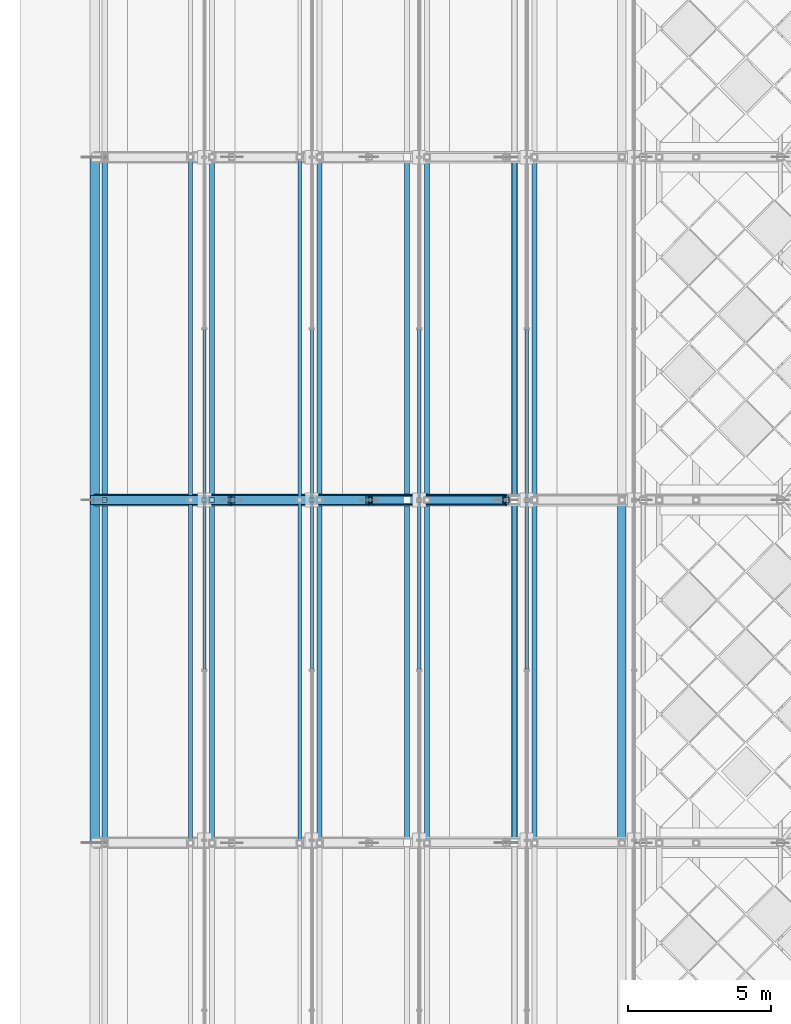
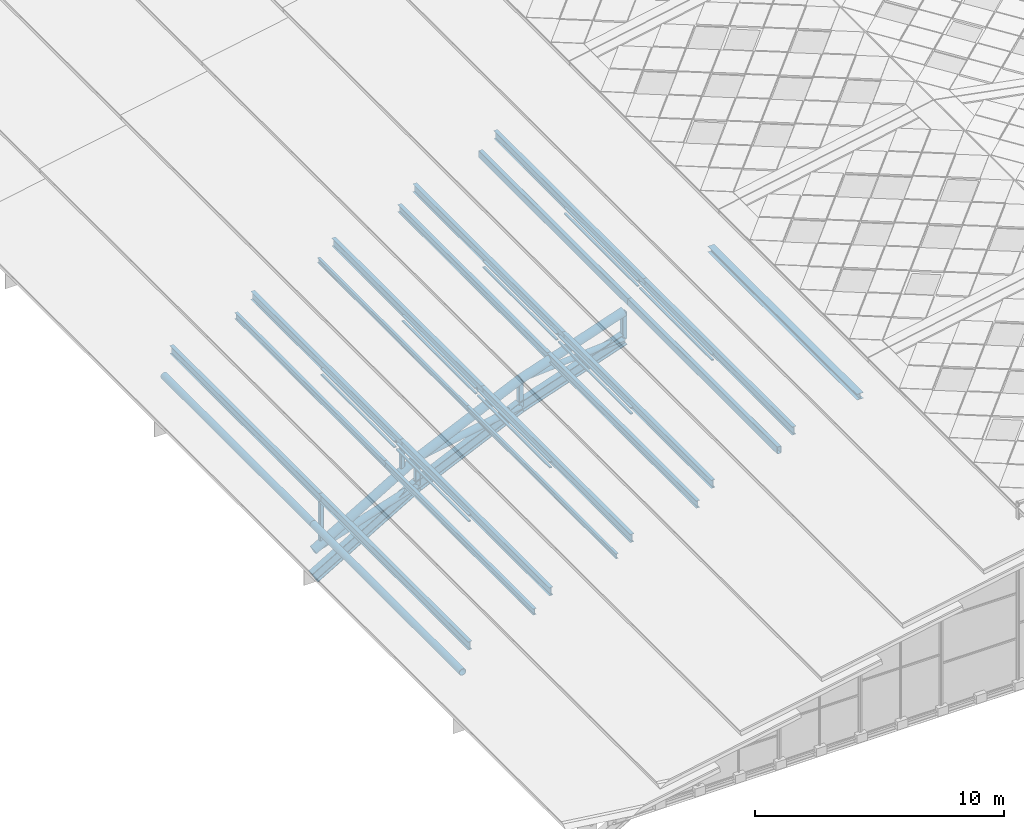
# One storey, part 12 of 117: 49 members, 2 beams, 8 elements without a shape of their own.
"""IFC4 building model written with IfcOpenShell, lengths in metres."""

from ifc_helpers import new_model, si_unit, direction, frame, origin, origin_2d, place, context, subcontext, project, spatial, hollow_rectangle, hollow_circle, i_section, extrude, material, material_profile, profile_set, type_object, element, aggregate, save


model = new_model("IFC4")

# Units and contexts
model_context = context("Model", 3, precision=1e-05, world=origin(), true_north=direction((0.0, 1.0)))
body_context = subcontext(model_context, "Body", "Model", "MODEL_VIEW")
ifc_project = project(units=[si_unit("LENGTHUNIT", "METRE"), si_unit("AREAUNIT", "SQUARE_METRE"), si_unit("VOLUMEUNIT", "CUBIC_METRE"), si_unit("PLANEANGLEUNIT", "RADIAN"), si_unit("MASSUNIT", "GRAM", prefix="KILO")], contexts=[model_context])

# Site, building, storey
site_placement = place(None, origin())
site = spatial("IfcSite", under=ifc_project, at=site_placement, CompositionType="ELEMENT")
building_placement = place(site_placement, origin())
building = spatial("IfcBuilding", under=site, at=building_placement, Name="Merenkruunu Market Hall", CompositionType="ELEMENT")
storey_placement = place(building_placement, frame((0.0, 0.0, 22.800048828125)))
storey = spatial("IfcBuildingStorey", under=building, at=storey_placement, Name="RF", CompositionType="ELEMENT", Elevation=22.800048828125)

# Members
ifc_material_1 = material(Name="Steel S355ML", Category="steel")
ifc_material_profile_1 = material_profile(ifc_material_1, hollow_circle(Radius=0.203125, WallThickness=0.01611328125, at=origin_2d()), Name="CHS 406.4x16")
ifc_profile_set_1 = profile_set([ifc_material_profile_1], Name="Steel S355ML")
member_type_1 = type_object("IfcMemberType", Name="Arch Truss Chord TC02", PredefinedType="CHORD", material=ifc_profile_set_1)
member_1_placement = place(storey_placement, frame((0.0, 39.60009765625, -10.150146484375), z_axis=(0.861115679414, 0.0, 0.508409074139), x_axis=(0.0, 1.0, 0.0)))
element("IfcMember", 1, at=member_1_placement, inside=storey, type_object=member_type_1, Name="TRUSS-AT-3-TOP-01", PredefinedType="CHORD", context=body_context, shape_type="SweptSolid", body=[
    extrude(hollow_circle(Radius=0.203125, WallThickness=0.01611328125, at=origin_2d()), origin(), (0.0, 0.0, 1.0), 5.57421875),
])
member_2_placement = place(storey_placement, frame((4.800048828125, 39.60009765625, -7.316162109375), z_axis=(0.909419998666, 0.0, 0.415878907889), x_axis=(0.0, 1.0, 0.0)))
element("IfcMember", 2, at=member_2_placement, inside=storey, type_object=member_type_1, Name="TRUSS-AT-3-TOP-02", PredefinedType="CHORD", context=body_context, shape_type="SweptSolid", body=[
    extrude(hollow_circle(Radius=0.203125, WallThickness=0.01611328125, at=origin_2d()), origin(), (0.0, 0.0, 1.0), 5.278076171875),
])
member_3_placement = place(storey_placement, frame((9.60009765625, 39.60009765625, -5.12109375), z_axis=(0.946219828174, 0.0, 0.323524399033), x_axis=(0.0, 1.0, 0.0)))
element("IfcMember", 3, at=member_3_placement, inside=storey, type_object=member_type_1, Name="TRUSS-AT-3-TOP-03", PredefinedType="CHORD", context=body_context, shape_type="SweptSolid", body=[
    extrude(hollow_circle(Radius=0.203125, WallThickness=0.01611328125, at=origin_2d()), origin(), (0.0, 0.0, 1.0), 5.072509765625),
])
ifc_material_profile_2 = material_profile(ifc_material_1, i_section(OverallWidth=0.300048828125, OverallDepth=0.550048828125, WebThickness=0.014892578125, FlangeThickness=0.029052734375, FilletRadius=0.027099609375, at=origin_2d()), Name="HEB 550")
ifc_profile_set_2 = profile_set([ifc_material_profile_2], Name="Steel S355ML")
member_type_2 = type_object("IfcMemberType", Name="Arch Truss Chord TC03", PredefinedType="CHORD", material=ifc_profile_set_2)
member_4_placement = place(storey_placement, frame((0.0, 39.60009765625, -11.449951171875), z_axis=(0.861115679414, 0.0, 0.508409074139), x_axis=(0.0, 1.0, 0.0)))
element("IfcMember", 4, at=member_4_placement, inside=storey, type_object=member_type_2, Name="TRUSS-AT-3-BOT-01", PredefinedType="CHORD", context=body_context, shape_type="SweptSolid", body=[
    extrude(i_section(OverallWidth=0.300048828125, OverallDepth=0.550048828125, WebThickness=0.014892578125, FlangeThickness=0.029052734375, FilletRadius=0.027099609375, at=origin_2d()), origin(), (0.0, 0.0, 1.0), 5.57421875),
])
member_5_placement = place(storey_placement, frame((4.800048828125, 39.60009765625, -8.615966796875), z_axis=(0.909437492245, 0.0, 0.415840651812), x_axis=(0.0, 1.0, 0.0)))
element("IfcMember", 5, at=member_5_placement, inside=storey, type_object=member_type_2, Name="TRUSS-AT-3-BOT-02", PredefinedType="CHORD", context=body_context, shape_type="SweptSolid", body=[
    extrude(i_section(OverallWidth=0.300048828125, OverallDepth=0.550048828125, WebThickness=0.014892578125, FlangeThickness=0.029052734375, FilletRadius=0.027099609375, at=origin_2d()), origin(), (0.0, 0.0, 1.0), 5.278076171875),
])
member_6_placement = place(storey_placement, frame((9.60009765625, 39.60009765625, -6.421142578125), z_axis=(0.946219828174, 0.0, 0.323524399033), x_axis=(0.0, 1.0, 0.0)))
element("IfcMember", 6, at=member_6_placement, inside=storey, type_object=member_type_2, Name="TRUSS-AT-3-BOT-03", PredefinedType="CHORD", context=body_context, shape_type="SweptSolid", body=[
    extrude(i_section(OverallWidth=0.300048828125, OverallDepth=0.550048828125, WebThickness=0.014892578125, FlangeThickness=0.029052734375, FilletRadius=0.027099609375, at=origin_2d()), origin(), (0.0, 0.0, 1.0), 5.072509765625),
])

# Curtain wall, members
ifc_material_2 = material(Name="Powder-coated aluminium", Category="aluminium")
curtain_wall_type = type_object("IfcCurtainWallType", Name="Clerestory Curtain Band CL05", PredefinedType="USERDEFINED", material=ifc_material_2)
curtain_wall_1_placement = place(storey_placement, origin())
curtain_wall_1 = element("IfcCurtainWall", 7, at=curtain_wall_1_placement, inside=storey, type_object=curtain_wall_type, Name="CW-RF-CWM04-081", ObjectType="CLERESTORY_BAND", PredefinedType="USERDEFINED")
ifc_material_profile_3 = material_profile(ifc_material_2, hollow_rectangle(XDim=0.06005859375, YDim=0.110107421875, WallThickness=0.00390625, at=origin_2d()), Name="ALU 60x110x4")
ifc_profile_set_3 = profile_set([ifc_material_profile_3], Name="Powder-coated aluminium")
member_type_3 = type_object("IfcMemberType", Name="Curtain Wall Transom CWT03", PredefinedType="USERDEFINED", material=ifc_profile_set_3)
member_7_placement = place(storey_placement, frame((3.840087890625, 33.68505859375, -6.491943359375), z_axis=(0.0, 1.0, 0.0), x_axis=(0.0, 0.0, 1.0)))
member_7 = element("IfcMember", 8, at=member_7_placement, type_object=member_type_3, Name="CL05 transom 4.1", ObjectType="TRANSOM", PredefinedType="USERDEFINED", context=body_context, shape_type="SweptSolid", body=[
    extrude(hollow_rectangle(XDim=0.06005859375, YDim=0.110107421875, WallThickness=0.00390625, at=origin_2d()), origin(), (0.0, 0.0, 1.0), 5.844970703125),
])
member_8_placement = place(storey_placement, frame((3.840087890625, 33.68505859375, -6.2041015625), z_axis=(0.0, 1.0, 0.0), x_axis=(0.0, 0.0, 1.0)))
member_8 = element("IfcMember", 9, at=member_8_placement, type_object=member_type_3, Name="CL05 transom 4.2", ObjectType="TRANSOM", PredefinedType="USERDEFINED", context=body_context, shape_type="SweptSolid", body=[
    extrude(hollow_rectangle(XDim=0.06005859375, YDim=0.110107421875, WallThickness=0.00390625, at=origin_2d()), origin(), (0.0, 0.0, 1.0), 5.844970703125),
])
aggregate(curtain_wall_1, [member_7, member_8])

curtain_wall_2_placement = place(storey_placement, origin())
curtain_wall_2 = element("IfcCurtainWall", 10, at=curtain_wall_2_placement, inside=storey, type_object=curtain_wall_type, Name="CW-RF-CWM04-083", ObjectType="CLERESTORY_BAND", PredefinedType="USERDEFINED")
member_9_placement = place(storey_placement, frame((3.840087890625, 39.669921875, -6.491943359375), z_axis=(0.0, 1.0, 0.0), x_axis=(0.0, 0.0, 1.0)))
member_9 = element("IfcMember", 11, at=member_9_placement, type_object=member_type_3, Name="CL05 transom 1.1", ObjectType="TRANSOM", PredefinedType="USERDEFINED", context=body_context, shape_type="SweptSolid", body=[
    extrude(hollow_rectangle(XDim=0.06005859375, YDim=0.110107421875, WallThickness=0.00390625, at=origin_2d()), origin(), (0.0, 0.0, 1.0), 5.89501953125),
])
member_10_placement = place(storey_placement, frame((3.840087890625, 39.669921875, -6.2041015625), z_axis=(0.0, 1.0, 0.0), x_axis=(0.0, 0.0, 1.0)))
member_10 = element("IfcMember", 12, at=member_10_placement, type_object=member_type_3, Name="CL05 transom 1.2", ObjectType="TRANSOM", PredefinedType="USERDEFINED", context=body_context, shape_type="SweptSolid", body=[
    extrude(hollow_rectangle(XDim=0.06005859375, YDim=0.110107421875, WallThickness=0.00390625, at=origin_2d()), origin(), (0.0, 0.0, 1.0), 5.89501953125),
])
aggregate(curtain_wall_2, [member_9, member_10])

curtain_wall_3_placement = place(storey_placement, origin())
curtain_wall_3 = element("IfcCurtainWall", 13, at=curtain_wall_3_placement, inside=storey, type_object=curtain_wall_type, Name="CW-RF-CWM04-089", ObjectType="CLERESTORY_BAND", PredefinedType="USERDEFINED")
member_11_placement = place(storey_placement, frame((7.60009765625, 33.68505859375, -5.172119140625), z_axis=(0.0, 1.0, 0.0), x_axis=(0.0, 0.0, 1.0)))
member_11 = element("IfcMember", 14, at=member_11_placement, type_object=member_type_3, Name="CL05 transom 4.1", ObjectType="TRANSOM", PredefinedType="USERDEFINED", context=body_context, shape_type="SweptSolid", body=[
    extrude(hollow_rectangle(XDim=0.06005859375, YDim=0.110107421875, WallThickness=0.00390625, at=origin_2d()), origin(), (0.0, 0.0, 1.0), 5.844970703125),
])
member_12_placement = place(storey_placement, frame((7.60009765625, 33.68505859375, -4.905029296875), z_axis=(0.0, 1.0, 0.0), x_axis=(0.0, 0.0, 1.0)))
member_12 = element("IfcMember", 15, at=member_12_placement, type_object=member_type_3, Name="CL05 transom 4.2", ObjectType="TRANSOM", PredefinedType="USERDEFINED", context=body_context, shape_type="SweptSolid", body=[
    extrude(hollow_rectangle(XDim=0.06005859375, YDim=0.110107421875, WallThickness=0.00390625, at=origin_2d()), origin(), (0.0, 0.0, 1.0), 5.844970703125),
])
aggregate(curtain_wall_3, [member_11, member_12])

curtain_wall_4_placement = place(storey_placement, origin())
curtain_wall_4 = element("IfcCurtainWall", 16, at=curtain_wall_4_placement, inside=storey, type_object=curtain_wall_type, Name="CW-RF-CWM04-091", ObjectType="CLERESTORY_BAND", PredefinedType="USERDEFINED")
member_13_placement = place(storey_placement, frame((7.60009765625, 39.669921875, -5.172119140625), z_axis=(0.0, 1.0, 0.0), x_axis=(0.0, 0.0, 1.0)))
member_13 = element("IfcMember", 17, at=member_13_placement, type_object=member_type_3, Name="CL05 transom 1.1", ObjectType="TRANSOM", PredefinedType="USERDEFINED", context=body_context, shape_type="SweptSolid", body=[
    extrude(hollow_rectangle(XDim=0.06005859375, YDim=0.110107421875, WallThickness=0.00390625, at=origin_2d()), origin(), (0.0, 0.0, 1.0), 5.89501953125),
])
member_14_placement = place(storey_placement, frame((7.60009765625, 39.669921875, -4.905029296875), z_axis=(0.0, 1.0, 0.0), x_axis=(0.0, 0.0, 1.0)))
member_14 = element("IfcMember", 18, at=member_14_placement, type_object=member_type_3, Name="CL05 transom 1.2", ObjectType="TRANSOM", PredefinedType="USERDEFINED", context=body_context, shape_type="SweptSolid", body=[
    extrude(hollow_rectangle(XDim=0.06005859375, YDim=0.110107421875, WallThickness=0.00390625, at=origin_2d()), origin(), (0.0, 0.0, 1.0), 5.89501953125),
])
aggregate(curtain_wall_4, [member_13, member_14])

curtain_wall_5_placement = place(storey_placement, origin())
curtain_wall_5 = element("IfcCurtainWall", 19, at=curtain_wall_5_placement, inside=storey, type_object=curtain_wall_type, Name="CW-RF-CWM04-097", ObjectType="CLERESTORY_BAND", PredefinedType="USERDEFINED")
member_15_placement = place(storey_placement, frame((11.360107421875, 33.68505859375, -3.85205078125), z_axis=(0.0, 1.0, 0.0), x_axis=(0.0, 0.0, 1.0)))
member_15 = element("IfcMember", 20, at=member_15_placement, type_object=member_type_3, Name="CL05 transom 4.1", ObjectType="TRANSOM", PredefinedType="USERDEFINED", context=body_context, shape_type="SweptSolid", body=[
    extrude(hollow_rectangle(XDim=0.06005859375, YDim=0.110107421875, WallThickness=0.00390625, at=origin_2d()), origin(), (0.0, 0.0, 1.0), 5.844970703125),
])
member_16_placement = place(storey_placement, frame((11.360107421875, 33.68505859375, -3.56396484375), z_axis=(0.0, 1.0, 0.0), x_axis=(0.0, 0.0, 1.0)))
member_16 = element("IfcMember", 21, at=member_16_placement, type_object=member_type_3, Name="CL05 transom 4.2", ObjectType="TRANSOM", PredefinedType="USERDEFINED", context=body_context, shape_type="SweptSolid", body=[
    extrude(hollow_rectangle(XDim=0.06005859375, YDim=0.110107421875, WallThickness=0.00390625, at=origin_2d()), origin(), (0.0, 0.0, 1.0), 5.844970703125),
])
aggregate(curtain_wall_5, [member_15, member_16])

curtain_wall_6_placement = place(storey_placement, origin())
curtain_wall_6 = element("IfcCurtainWall", 22, at=curtain_wall_6_placement, inside=storey, type_object=curtain_wall_type, Name="CW-RF-CWM04-099", ObjectType="CLERESTORY_BAND", PredefinedType="USERDEFINED")
member_17_placement = place(storey_placement, frame((11.360107421875, 39.669921875, -3.85205078125), z_axis=(0.0, 1.0, 0.0), x_axis=(0.0, 0.0, 1.0)))
member_17 = element("IfcMember", 23, at=member_17_placement, type_object=member_type_3, Name="CL05 transom 1.1", ObjectType="TRANSOM", PredefinedType="USERDEFINED", context=body_context, shape_type="SweptSolid", body=[
    extrude(hollow_rectangle(XDim=0.06005859375, YDim=0.110107421875, WallThickness=0.00390625, at=origin_2d()), origin(), (0.0, 0.0, 1.0), 5.89501953125),
])
member_18_placement = place(storey_placement, frame((11.360107421875, 39.669921875, -3.56396484375), z_axis=(0.0, 1.0, 0.0), x_axis=(0.0, 0.0, 1.0)))
member_18 = element("IfcMember", 24, at=member_18_placement, type_object=member_type_3, Name="CL05 transom 1.2", ObjectType="TRANSOM", PredefinedType="USERDEFINED", context=body_context, shape_type="SweptSolid", body=[
    extrude(hollow_rectangle(XDim=0.06005859375, YDim=0.110107421875, WallThickness=0.00390625, at=origin_2d()), origin(), (0.0, 0.0, 1.0), 5.89501953125),
])
aggregate(curtain_wall_6, [member_17, member_18])

curtain_wall_7_placement = place(storey_placement, origin())
curtain_wall_7 = element("IfcCurtainWall", 25, at=curtain_wall_7_placement, inside=storey, type_object=curtain_wall_type, Name="CW-RF-CWM04-105", ObjectType="CLERESTORY_BAND", PredefinedType="USERDEFINED")
member_19_placement = place(storey_placement, frame((15.1201171875, 33.68505859375, -2.531982421875), z_axis=(0.0, 1.0, 0.0), x_axis=(0.0, 0.0, 1.0)))
member_19 = element("IfcMember", 26, at=member_19_placement, type_object=member_type_3, Name="CL05 transom 4.1", ObjectType="TRANSOM", PredefinedType="USERDEFINED", context=body_context, shape_type="SweptSolid", body=[
    extrude(hollow_rectangle(XDim=0.06005859375, YDim=0.110107421875, WallThickness=0.00390625, at=origin_2d()), origin(), (0.0, 0.0, 1.0), 5.844970703125),
])
member_20_placement = place(storey_placement, frame((15.1201171875, 33.68505859375, -2.26513671875), z_axis=(0.0, 1.0, 0.0), x_axis=(0.0, 0.0, 1.0)))
member_20 = element("IfcMember", 27, at=member_20_placement, type_object=member_type_3, Name="CL05 transom 4.2", ObjectType="TRANSOM", PredefinedType="USERDEFINED", context=body_context, shape_type="SweptSolid", body=[
    extrude(hollow_rectangle(XDim=0.06005859375, YDim=0.110107421875, WallThickness=0.00390625, at=origin_2d()), origin(), (0.0, 0.0, 1.0), 5.844970703125),
])
aggregate(curtain_wall_7, [member_19, member_20])

curtain_wall_8_placement = place(storey_placement, origin())
curtain_wall_8 = element("IfcCurtainWall", 28, at=curtain_wall_8_placement, inside=storey, type_object=curtain_wall_type, Name="CW-RF-CWM04-107", ObjectType="CLERESTORY_BAND", PredefinedType="USERDEFINED")
member_21_placement = place(storey_placement, frame((15.1201171875, 39.669921875, -2.531982421875), z_axis=(0.0, 1.0, 0.0), x_axis=(0.0, 0.0, 1.0)))
member_21 = element("IfcMember", 29, at=member_21_placement, type_object=member_type_3, Name="CL05 transom 1.1", ObjectType="TRANSOM", PredefinedType="USERDEFINED", context=body_context, shape_type="SweptSolid", body=[
    extrude(hollow_rectangle(XDim=0.06005859375, YDim=0.110107421875, WallThickness=0.00390625, at=origin_2d()), origin(), (0.0, 0.0, 1.0), 5.89501953125),
])
member_22_placement = place(storey_placement, frame((15.1201171875, 39.669921875, -2.26513671875), z_axis=(0.0, 1.0, 0.0), x_axis=(0.0, 0.0, 1.0)))
member_22 = element("IfcMember", 30, at=member_22_placement, type_object=member_type_3, Name="CL05 transom 1.2", ObjectType="TRANSOM", PredefinedType="USERDEFINED", context=body_context, shape_type="SweptSolid", body=[
    extrude(hollow_rectangle(XDim=0.06005859375, YDim=0.110107421875, WallThickness=0.00390625, at=origin_2d()), origin(), (0.0, 0.0, 1.0), 5.89501953125),
])
aggregate(curtain_wall_8, [member_21, member_22])

# Members
ifc_material_profile_4 = material_profile(ifc_material_1, hollow_circle(Radius=0.161865234375, WallThickness=0.01611328125, at=origin_2d()), Name="CHS 323.9x16")
ifc_profile_set_4 = profile_set([ifc_material_profile_4], Name="Steel S355ML")
member_type_4 = type_object("IfcMemberType", Name="Diagonal Sway Brace BR01", PredefinedType="BRACE", material=ifc_profile_set_4)
member_23_placement = place(storey_placement, frame((0.0, 39.60009765625, -10.150146484375), z_axis=(0.95252984503, 0.0, 0.304445223853), x_axis=(0.0, 1.0, 0.0)))
element("IfcMember", 31, at=member_23_placement, inside=storey, type_object=member_type_4, Name="TRUSS-AT-3-DIAG-01", PredefinedType="BRACE", context=body_context, shape_type="SweptSolid", body=[
    extrude(hollow_circle(Radius=0.161865234375, WallThickness=0.01611328125, at=origin_2d()), origin(), (0.0, 0.0, 1.0), 5.039306640625),
])
member_24_placement = place(storey_placement, frame((4.800048828125, 39.60009765625, -7.316162109375), z_axis=(0.983056786802, 0.0, 0.18330126547), x_axis=(0.0, 1.0, 0.0)))
element("IfcMember", 32, at=member_24_placement, inside=storey, type_object=member_type_4, Name="TRUSS-AT-3-DIAG-02", PredefinedType="BRACE", context=body_context, shape_type="SweptSolid", body=[
    extrude(hollow_circle(Radius=0.161865234375, WallThickness=0.01611328125, at=origin_2d()), origin(), (0.0, 0.0, 1.0), 4.8828125),
])
ifc_material_profile_5 = material_profile(ifc_material_1, hollow_circle(Radius=0.136474609375, WallThickness=0.012451171875, at=origin_2d()), Name="CHS 273x12.5")
ifc_profile_set_5 = profile_set([ifc_material_profile_5], Name="Steel S355ML")
member_type_5 = type_object("IfcMemberType", Name="Diagonal Sway Brace BR02", PredefinedType="BRACE", material=ifc_profile_set_5)
member_25_placement = place(storey_placement, frame((9.60009765625, 39.60009765625, -5.12109375), z_axis=(0.997484901828, 0.0, 0.070879267948), x_axis=(0.0, 1.0, 0.0)))
element("IfcMember", 33, at=member_25_placement, inside=storey, type_object=member_type_5, Name="TRUSS-AT-3-DIAG-03", PredefinedType="BRACE", context=body_context, shape_type="SweptSolid", body=[
    extrude(hollow_circle(Radius=0.136474609375, WallThickness=0.012451171875, at=origin_2d()), origin(), (0.0, 0.0, 1.0), 4.81201171875),
])
ifc_material_3 = material(Name="Steel S355J2", Category="steel")
ifc_material_profile_6 = material_profile(ifc_material_3, hollow_rectangle(XDim=0.219970703125, YDim=0.219970703125, WallThickness=0.012451171875, InnerFilletRadius=0.012451171875, OuterFilletRadius=0.02490234375, at=origin_2d()), Name="SHS 220x220x12.5")
ifc_profile_set_6 = profile_set([ifc_material_profile_6], Name="Steel S355J2")
member_type_6 = type_object("IfcMemberType", Name="Diagonal Sway Brace BR04", PredefinedType="BRACE", material=ifc_profile_set_6)
member_26_placement = place(storey_placement, frame((4.800048828125, 39.60009765625, -8.615966796875), z_axis=(0.0, 0.0, 1.0), x_axis=(1.0, 0.0, 0.0)))
element("IfcMember", 34, at=member_26_placement, inside=storey, type_object=member_type_6, Name="TRUSS-AT-3-POST-01", PredefinedType="BRACE", context=body_context, shape_type="SweptSolid", body=[
    extrude(hollow_rectangle(XDim=0.219970703125, YDim=0.219970703125, WallThickness=0.012451171875, InnerFilletRadius=0.012451171875, OuterFilletRadius=0.02490234375, at=origin_2d()), origin(), (0.0, 0.0, 1.0), 1.2998046875),
])
for number, where, z_axis, x_axis, name in (
    (35, (9.60009765625, 39.60009765625, -6.421142578125), (0.0, 0.0, 1.0), (1.0, 0.0, 0.0), "TRUSS-AT-3-POST-02"),
    (36, (14.39990234375, 39.60009765625, -4.780029296875), (0.0, 0.0, 1.0), (1.0, 0.0, 0.0), "TRUSS-AT-3-POST-03"),
):
    element("IfcMember", number, at=place(storey_placement, frame(where, z_axis=z_axis, x_axis=x_axis)), inside=storey, type_object=member_type_6, Name=name, PredefinedType="BRACE", context=body_context, shape_type="SweptSolid", body=[
        extrude(hollow_rectangle(XDim=0.219970703125, YDim=0.219970703125, WallThickness=0.012451171875, InnerFilletRadius=0.012451171875, OuterFilletRadius=0.02490234375, at=origin_2d()), origin(), (0.0, 0.0, 1.0), 1.300048828125),
    ])
ifc_material_profile_7 = material_profile(ifc_material_3, hollow_rectangle(XDim=0.179931640625, YDim=0.179931640625, WallThickness=0.010009765625, InnerFilletRadius=0.010009765625, OuterFilletRadius=0.02001953125, at=origin_2d()), Name="SHS 180x180x10")
ifc_profile_set_7 = profile_set([ifc_material_profile_7], Name="Steel S355J2")
member_type_7 = type_object("IfcMemberType", Name="Diagonal Sway Brace BR05", PredefinedType="BRACE", material=ifc_profile_set_7)
member_27_placement = place(storey_placement, frame((0.35009765625, 39.60009765625, -9.751953125), z_axis=(0.0, 0.0, 1.0), x_axis=(1.0, 0.0, 0.0)))
element("IfcMember", 37, at=member_27_placement, inside=storey, type_object=member_type_7, Name="TRUSS-AT-3-RISER-W1-1", PredefinedType="BRACE", context=body_context, shape_type="SweptSolid", body=[
    extrude(hollow_rectangle(XDim=0.179931640625, YDim=0.179931640625, WallThickness=0.010009765625, InnerFilletRadius=0.010009765625, OuterFilletRadius=0.02001953125, at=origin_2d()), origin(), (0.0, 0.0, 1.0), 1.853515625),
])
member_28_placement = place(storey_placement, frame((4.110107421875, 39.60009765625, -7.53173828125), z_axis=(0.0, 0.0, 1.0), x_axis=(1.0, 0.0, 0.0)))
element("IfcMember", 38, at=member_28_placement, inside=storey, type_object=member_type_7, Name="TRUSS-AT-3-RISER-W2-1", PredefinedType="BRACE", context=body_context, shape_type="SweptSolid", body=[
    extrude(hollow_rectangle(XDim=0.179931640625, YDim=0.179931640625, WallThickness=0.010009765625, InnerFilletRadius=0.010009765625, OuterFilletRadius=0.02001953125, at=origin_2d()), origin(), (0.0, 0.0, 1.0), 0.9736328125),
])

# Beams
ifc_material_profile_8 = material_profile(ifc_material_1, hollow_circle(Radius=0.161865234375, WallThickness=0.01611328125, at=origin_2d()), Name="CHS 323.9x16")
ifc_profile_set_8 = profile_set([ifc_material_profile_8], Name="Steel S355ML")
beam_type = type_object("IfcBeamType", Name="Perimeter Spandrel Beam SP05", PredefinedType="SPANDREL", material=ifc_profile_set_8)
for number, where, z_axis, x_axis, name in (
    (39, (0.0, 27.60009765625, -8.862060546875), (0.0, 1.0, 0.0), (-1.0, 0.0, 0.0), "BM-RF-SP05-1269"),
    (40, (0.0, 39.60009765625, -8.862060546875), (0.0, 1.0, 0.0), (-1.0, 0.0, 0.0), "BM-RF-SP05-1272"),
):
    element("IfcBeam", number, at=place(storey_placement, frame(where, z_axis=z_axis, x_axis=x_axis)), inside=storey, type_object=beam_type, Name=name, PredefinedType="SPANDREL", context=body_context, shape_type="SweptSolid", body=[
        extrude(hollow_circle(Radius=0.161865234375, WallThickness=0.01611328125, at=origin_2d()), origin(), (0.0, 0.0, 1.0), 12.0),
    ])

# Members
ifc_material_profile_9 = material_profile(ifc_material_1, i_section(OverallWidth=0.14990234375, OverallDepth=0.300048828125, WebThickness=0.007080078125, FlangeThickness=0.0107421875, FilletRadius=0.014892578125, at=origin_2d()), Name="IPE 300")
ifc_profile_set_9 = profile_set([ifc_material_profile_9], Name="Steel S355ML")
member_type_8 = type_object("IfcMemberType", Name="Roof Purlin Rafter PR01", PredefinedType="PURLIN", material=ifc_profile_set_9)
for number, where, z_axis, x_axis, name in (
    (41, (3.35009765625, 27.60009765625, -7.071533203125), (0.0, 1.0, 0.0), (-1.0, 0.0, 0.0), "MEM-RF-PURL-W-019"),
    (42, (3.35009765625, 39.60009765625, -7.071533203125), (0.0, 1.0, 0.0), (-1.0, 0.0, 0.0), "MEM-RF-PURL-W-021"),
):
    element("IfcMember", number, at=place(storey_placement, frame(where, z_axis=z_axis, x_axis=x_axis)), inside=storey, type_object=member_type_8, Name=name, PredefinedType="PURLIN", context=body_context, shape_type="SweptSolid", body=[
        extrude(i_section(OverallWidth=0.14990234375, OverallDepth=0.300048828125, WebThickness=0.007080078125, FlangeThickness=0.0107421875, FilletRadius=0.014892578125, at=origin_2d()), origin(), (0.0, 0.0, 1.0), 12.0),
    ])
ifc_material_profile_10 = material_profile(ifc_material_1, i_section(OverallWidth=0.1201171875, OverallDepth=0.239990234375, WebThickness=0.006103515625, FlangeThickness=0.009765625, FilletRadius=0.014892578125, at=origin_2d()), Name="IPE 240")
ifc_profile_set_10 = profile_set([ifc_material_profile_10], Name="Steel S355ML")
member_type_9 = type_object("IfcMemberType", Name="Roof Purlin Rafter PR02", PredefinedType="PURLIN", material=ifc_profile_set_10)
for number, where, z_axis, x_axis, name in (
    (43, (7.169921875, 27.60009765625, -5.687255859375), (0.0, 1.0, 0.0), (-1.0, 0.0, 0.0), "MEM-RF-PURL-W-051"),
    (44, (7.169921875, 39.60009765625, -5.687255859375), (0.0, 1.0, 0.0), (-1.0, 0.0, 0.0), "MEM-RF-PURL-W-053"),
):
    element("IfcMember", number, at=place(storey_placement, frame(where, z_axis=z_axis, x_axis=x_axis)), inside=storey, type_object=member_type_9, Name=name, PredefinedType="PURLIN", context=body_context, shape_type="SweptSolid", body=[
        extrude(i_section(OverallWidth=0.1201171875, OverallDepth=0.239990234375, WebThickness=0.006103515625, FlangeThickness=0.009765625, FilletRadius=0.014892578125, at=origin_2d()), origin(), (0.0, 0.0, 1.0), 12.0),
    ])
ifc_material_profile_11 = material_profile(ifc_material_1, i_section(OverallWidth=0.169921875, OverallDepth=0.360107421875, WebThickness=0.008056640625, FlangeThickness=0.0126953125, FilletRadius=0.01806640625, at=origin_2d()), Name="IPE 360")
ifc_profile_set_11 = profile_set([ifc_material_profile_11], Name="Steel S355ML")
member_type_10 = type_object("IfcMemberType", Name="Roof Purlin Rafter PR03", PredefinedType="PURLIN", material=ifc_profile_set_11)
for number, where, z_axis, x_axis, name in (
    (45, (10.929931640625, 27.60009765625, -4.452392578125), (0.0, 1.0, 0.0), (-1.0, 0.0, 0.0), "MEM-RF-PURL-W-083"),
    (46, (10.929931640625, 39.60009765625, -4.452392578125), (0.0, 1.0, 0.0), (-1.0, 0.0, 0.0), "MEM-RF-PURL-W-085"),
):
    element("IfcMember", number, at=place(storey_placement, frame(where, z_axis=z_axis, x_axis=x_axis)), inside=storey, type_object=member_type_10, Name=name, PredefinedType="PURLIN", context=body_context, shape_type="SweptSolid", body=[
        extrude(i_section(OverallWidth=0.169921875, OverallDepth=0.360107421875, WebThickness=0.008056640625, FlangeThickness=0.0126953125, FilletRadius=0.01806640625, at=origin_2d()), origin(), (0.0, 0.0, 1.0), 12.0),
    ])
ifc_material_profile_12 = material_profile(ifc_material_1, hollow_rectangle(XDim=0.199951171875, YDim=0.35009765625, WallThickness=0.012451171875, InnerFilletRadius=0.012451171875, OuterFilletRadius=0.02490234375, at=origin_2d()), Name="RHS 350x200x12.5")
ifc_profile_set_12 = profile_set([ifc_material_profile_12], Name="Steel S355ML")
member_type_11 = type_object("IfcMemberType", Name="Roof Purlin Rafter PR06", PredefinedType="PURLIN", material=ifc_profile_set_12)
for number, where, z_axis, x_axis, name in (
    (47, (14.68994140625, 27.60009765625, -3.10986328125), (0.0, 1.0, 0.0), (-1.0, 0.0, 0.0), "MEM-RF-PURL-W-115"),
    (48, (14.68994140625, 39.60009765625, -3.10986328125), (0.0, 1.0, 0.0), (-1.0, 0.0, 0.0), "MEM-RF-PURL-W-117"),
):
    element("IfcMember", number, at=place(storey_placement, frame(where, z_axis=z_axis, x_axis=x_axis)), inside=storey, type_object=member_type_11, Name=name, PredefinedType="PURLIN", context=body_context, shape_type="SweptSolid", body=[
        extrude(hollow_rectangle(XDim=0.199951171875, YDim=0.35009765625, WallThickness=0.012451171875, InnerFilletRadius=0.012451171875, OuterFilletRadius=0.02490234375, at=origin_2d()), origin(), (0.0, 0.0, 1.0), 12.0),
    ])
ifc_material_profile_13 = material_profile(ifc_material_1, i_section(OverallWidth=0.300048828125, OverallDepth=0.2900390625, WebThickness=0.008544921875, FlangeThickness=0.013916015625, FilletRadius=0.027099609375, at=origin_2d()), Name="HEA 300")
ifc_profile_set_13 = profile_set([ifc_material_profile_13], Name="Steel S355ML")
member_type_12 = type_object("IfcMemberType", Name="Roof Purlin Rafter PR07", PredefinedType="PURLIN", material=ifc_profile_set_13)
member_29_placement = place(storey_placement, frame((18.449951171875, 27.60009765625, -1.789306640625), z_axis=(0.0, 1.0, 0.0), x_axis=(-1.0, 0.0, 0.0)))
element("IfcMember", 49, at=member_29_placement, inside=storey, type_object=member_type_12, Name="MEM-RF-PURL-W-147", PredefinedType="PURLIN", context=body_context, shape_type="SweptSolid", body=[
    extrude(i_section(OverallWidth=0.300048828125, OverallDepth=0.2900390625, WebThickness=0.008544921875, FlangeThickness=0.013916015625, FilletRadius=0.027099609375, at=origin_2d()), origin(), (0.0, 0.0, 1.0), 12.0),
])
ifc_material_profile_14 = material_profile(ifc_material_1, i_section(OverallWidth=0.179931640625, OverallDepth=0.39990234375, WebThickness=0.008544921875, FlangeThickness=0.013427734375, FilletRadius=0.02099609375, at=origin_2d()), Name="IPE 400")
ifc_profile_set_14 = profile_set([ifc_material_profile_14], Name="Steel S355ML")
member_type_13 = type_object("IfcMemberType", Name="Roof Purlin Rafter PR09", PredefinedType="PURLIN", material=ifc_profile_set_14)
for number, where, z_axis, x_axis, name in (
    (50, (0.35009765625, 27.60009765625, -7.680419921875), (0.0, 1.0, 0.0), (-1.0, 0.0, 0.0), "MEM-RF-PURL-W-003"),
    (51, (0.35009765625, 39.60009765625, -7.680419921875), (0.0, 1.0, 0.0), (-1.0, 0.0, 0.0), "MEM-RF-PURL-W-005"),
    (52, (4.110107421875, 27.60009765625, -6.340087890625), (0.0, 1.0, 0.0), (-1.0, 0.0, 0.0), "MEM-RF-PURL-W-035"),
    (53, (4.110107421875, 39.60009765625, -6.340087890625), (0.0, 1.0, 0.0), (-1.0, 0.0, 0.0), "MEM-RF-PURL-W-037"),
    (54, (7.8701171875, 27.60009765625, -5.040283203125), (0.0, 1.0, 0.0), (-1.0, 0.0, 0.0), "MEM-RF-PURL-W-067"),
    (55, (7.8701171875, 39.60009765625, -5.040283203125), (0.0, 1.0, 0.0), (-1.0, 0.0, 0.0), "MEM-RF-PURL-W-069"),
    (56, (11.6298828125, 27.60009765625, -3.699951171875), (0.0, 1.0, 0.0), (-1.0, 0.0, 0.0), "MEM-RF-PURL-W-099"),
    (57, (11.6298828125, 39.60009765625, -3.699951171875), (0.0, 1.0, 0.0), (-1.0, 0.0, 0.0), "MEM-RF-PURL-W-101"),
    (58, (15.389892578125, 27.60009765625, -2.400390625), (0.0, 1.0, 0.0), (-1.0, 0.0, 0.0), "MEM-RF-PURL-W-131"),
    (59, (15.389892578125, 39.60009765625, -2.400390625), (0.0, 1.0, 0.0), (-1.0, 0.0, 0.0), "MEM-RF-PURL-W-133"),
):
    element("IfcMember", number, at=place(storey_placement, frame(where, z_axis=z_axis, x_axis=x_axis)), inside=storey, type_object=member_type_13, Name=name, PredefinedType="PURLIN", context=body_context, shape_type="SweptSolid", body=[
        extrude(i_section(OverallWidth=0.179931640625, OverallDepth=0.39990234375, WebThickness=0.008544921875, FlangeThickness=0.013427734375, FilletRadius=0.02099609375, at=origin_2d()), origin(), (0.0, 0.0, 1.0), 12.0),
    ])

save(model, "model.ifc")
